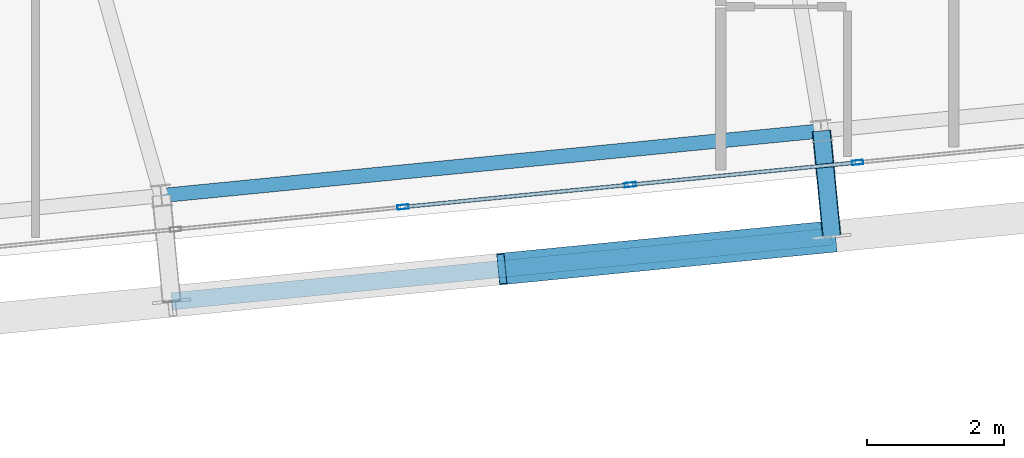
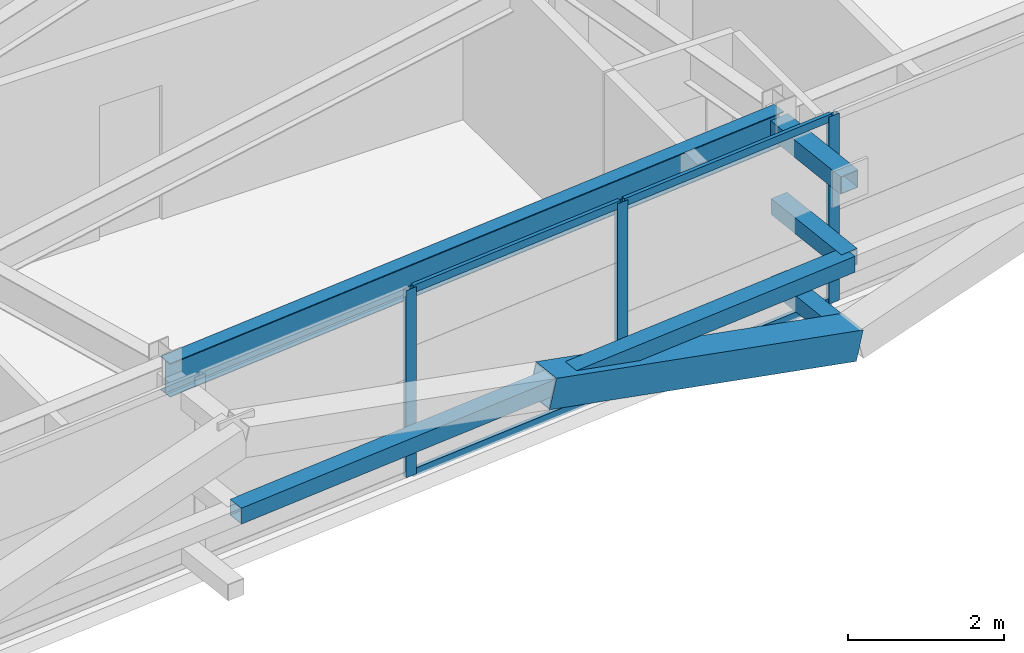
# One storey, part 18 of 52: 12 members, 1 beam, 1 element without a shape of its own.
"""IFC4 building model written with IfcOpenShell, lengths in metres."""

from ifc_helpers import new_model, si_unit, direction, frame, origin, origin_2d, place, context, subcontext, project, spatial, hollow_rectangle, i_section, extrude, source, transform, mapped, material, layer, layer_set, material_profile, profile_set, type_object, element, aggregate, save


model = new_model("IFC4")

# Units and contexts
model_context = context("Model", 3, precision=1e-05, world=origin(), true_north=direction((0.0, 1.0)))
body_context = subcontext(model_context, "Body", "Model", "MODEL_VIEW")
ifc_project = project(units=[si_unit("LENGTHUNIT", "METRE"), si_unit("AREAUNIT", "SQUARE_METRE"), si_unit("VOLUMEUNIT", "CUBIC_METRE"), si_unit("PLANEANGLEUNIT", "RADIAN"), si_unit("MASSUNIT", "GRAM", prefix="KILO")], contexts=[model_context])

# Site, building, storey
site_placement = place(None, origin())
site = spatial("IfcSite", under=ifc_project, at=site_placement, CompositionType="ELEMENT")
building_placement = place(site_placement, origin())
building = spatial("IfcBuilding", under=site, at=building_placement, Name="Taldren Reach Tower", CompositionType="ELEMENT")
storey_placement = place(building_placement, frame((0.0, 0.0, 74.550048828125)))
storey = spatial("IfcBuildingStorey", under=building, at=storey_placement, Name="L22", CompositionType="ELEMENT", Elevation=74.550048828125)

# Members
ifc_material_1 = material(Name="Steel Gr 450 (C450L0)", Category="steel")
ifc_material_profile_1 = material_profile(ifc_material_1, hollow_rectangle(XDim=0.27490234375, YDim=0.27490234375, WallThickness=0.00927734375, at=origin_2d()), Name="275x275x9.3SHS")
ifc_profile_set_1 = profile_set([ifc_material_profile_1], Name="Steel Gr 450 (C450L0)")
member_type_1 = type_object("IfcMemberType", Name="MB-TIE273", PredefinedType="STRUT", material=ifc_profile_set_1)
shared_shape_1 = source(origin(), body_context, "Body", "SweptSolid", [
    extrude(hollow_rectangle(XDim=0.27490234375, YDim=0.27490234375, WallThickness=0.00927734375, at=origin_2d()), origin(), (0.0, 0.0, 1.0), 1.5498046875),
])
member_1_placement = place(storey_placement, frame((53.469482421875, 3.698486328125, 2.64990234375), z_axis=(0.097507178627, -0.995234821595, 0.0), x_axis=(0.995234821595, 0.097507178627, 0.0)))
element("IfcMember", 1, at=member_1_placement, inside=storey, type_object=member_type_1, Name="Exoskeleton diaphragm tie strut B2-S5 L22", PredefinedType="STRUT", context=body_context, shape_type="MappedRepresentation", body=[
    mapped(shared_shape_1, transform((0.0, 0.0, 0.0), scale=1.0)),
])
ifc_material_2 = material(Name="Steel Gr 350 (C350L0)", Category="steel")
ifc_material_profile_2 = material_profile(ifc_material_2, hollow_rectangle(XDim=0.25, YDim=0.25, WallThickness=0.010009765625, at=origin_2d()), Name="250x250x10.0SHS")
ifc_profile_set_2 = profile_set([ifc_material_profile_2], Name="Steel Gr 350 (C350L0)")
member_type_2 = type_object("IfcMemberType", Name="MB-POST250", PredefinedType="POST", material=ifc_profile_set_2)
shared_shape_2 = source(origin(), body_context, "Body", "SweptSolid", [
    extrude(hollow_rectangle(XDim=0.25, YDim=0.25, WallThickness=0.010009765625, at=origin_2d()), origin(), (0.0, 0.0, 1.0), 1.5498046875),
])
for number, where, z_axis, x_axis, name in (
    (2, (53.469482421875, 3.698486328125, 0.219970703125), (0.097507178627, -0.995234821595, 0.0), (0.995234821595, 0.097507178627, 0.0), "Exoskeleton base diaphragm tie strut B2-S5 L22"),
    (3, (53.469482421875, 3.698486328125, 1.43505859375), (0.097507178627, -0.995234821595, 0.0), (0.995234821595, 0.097507178627, 0.0), "Exoskeleton mid-tier diaphragm tie B2-S5 L22"),
):
    element("IfcMember", number, at=place(storey_placement, frame(where, z_axis=z_axis, x_axis=x_axis)), inside=storey, type_object=member_type_2, Name=name, PredefinedType="POST", context=body_context, shape_type="MappedRepresentation", body=[
        mapped(shared_shape_2, transform((0.0, 0.0, 0.0), scale=1.0)),
    ])

# Beam
ifc_material_3 = material(Name="Steel Gr 350 (350PLUS)", Category="steel")
ifc_material_profile_3 = material_profile(ifc_material_3, i_section(OverallWidth=0.208984375, OverallDepth=0.528076171875, WebThickness=0.009521484375, FlangeThickness=0.01318359375, at=origin_2d()), Name="530UB82.0")
ifc_profile_set_3 = profile_set([ifc_material_profile_3], Name="Steel Gr 350 (350PLUS)")
beam_type = type_object("IfcBeamType", Name="SP-UB530B", PredefinedType="SPANDREL", material=ifc_profile_set_3)
shared_shape_3 = source(origin(), body_context, "Body", "SweptSolid", [
    extrude(i_section(OverallWidth=0.208984375, OverallDepth=0.528076171875, WebThickness=0.009521484375, FlangeThickness=0.01318359375, at=origin_2d()), origin(), (0.0, 0.0, 1.0), 9.68017578125),
])
beam_placement = place(storey_placement, frame((43.83544921875, 2.75390625, 2.666015625), z_axis=(0.995227852805, 0.097578281404, 0.0), x_axis=(-0.097578281404, 0.995227852805, 0.0)))
element("IfcBeam", 4, at=beam_placement, inside=storey, type_object=beam_type, Name="Perimeter spandrel B2 S4-S5 L22", PredefinedType="SPANDREL", context=body_context, shape_type="MappedRepresentation", body=[
    mapped(shared_shape_3, transform((0.0, 0.0, 0.0), scale=1.0)),
])

# Members
ifc_material_profile_4 = material_profile(ifc_material_1, hollow_rectangle(XDim=0.4599609375, YDim=0.4599609375, WallThickness=0.01611328125, at=origin_2d()), Name="460x460x16.0SHS")
ifc_profile_set_4 = profile_set([ifc_material_profile_4], Name="Steel Gr 450 (C450L0)")
member_type_3 = type_object("IfcMemberType", Name="MB-EXO457", PredefinedType="BRACE", material=ifc_profile_set_4)
shared_shape_4 = source(origin(), body_context, "Body", "SweptSolid", [
    extrude(hollow_rectangle(XDim=0.4599609375, YDim=0.4599609375, WallThickness=0.01611328125, at=origin_2d()), origin(), (0.0, 0.0, 1.0), 4.990234375),
])
member_2_placement = place(storey_placement, frame((53.62060546875, 2.156005859375, 0.219970703125), z_axis=(-0.965271056716, -0.094667992638, 0.243494883389), x_axis=(0.097605711627, -0.995225162995, 0.0)))
element("IfcMember", 5, at=member_2_placement, inside=storey, type_object=member_type_3, Name="Exoskeleton Diagrid Brace B2-S4 L22", PredefinedType="BRACE", context=body_context, shape_type="MappedRepresentation", body=[
    mapped(shared_shape_4, transform((0.0, 0.0, 0.0), scale=1.0)),
])
shared_shape_5 = source(origin(), body_context, "Body", "SweptSolid", [
    extrude(hollow_rectangle(XDim=0.25, YDim=0.25, WallThickness=0.010009765625, at=origin_2d()), origin(), (0.0, 0.0, 1.0), 9.679931640625),
])
member_3_placement = place(storey_placement, frame((43.98681640625, 1.21142578125, 1.43505859375), z_axis=(0.995227612658, 0.097580730699, 0.0), x_axis=(-0.097580730699, 0.995227612658, 0.0)))
element("IfcMember", 6, at=member_3_placement, inside=storey, type_object=member_type_2, Name="Exoskeleton mid-height ring chord B2-S4 L22", PredefinedType="POST", context=body_context, shape_type="MappedRepresentation", body=[
    mapped(shared_shape_5, transform((0.0, 0.0, 0.0), scale=1.0)),
])

# Curtain wall, members
ifc_material_4 = material(Name="Aluminium and Low-E Glass Unitised System", Category="aluminium")
ifc_layer = layer(ifc_material_4, 0.159912109375)
ifc_layer_set = layer_set([ifc_layer], Name="Aluminium and Low-E Glass Unitised System")
curtain_wall_type = type_object("IfcCurtainWallType", Name="CW-SYS-3", PredefinedType="NOTDEFINED", material=ifc_layer_set)
curtain_wall_placement = place(storey_placement, origin())
curtain_wall = element("IfcCurtainWall", 7, at=curtain_wall_placement, inside=storey, type_object=curtain_wall_type, Name="Unitised curtain wall CW-L22-S", PredefinedType="NOTDEFINED")
ifc_material_5 = material(Name="Anodised Aluminium 6063-T6", Category="aluminium")
ifc_material_profile_5 = material_profile(ifc_material_5, hollow_rectangle(XDim=0.06494140625, YDim=0.1650390625, WallThickness=0.00390625, at=origin_2d()), Name="ALU-165x65x4RHS")
ifc_profile_set_5 = profile_set([ifc_material_profile_5], Name="Anodised Aluminium 6063-T6")
member_type_4 = type_object("IfcMemberType", Name="CW-MUL-165", PredefinedType="MULLION", material=ifc_profile_set_5)
shared_shape_6 = source(origin(), body_context, "Body", "SweptSolid", [
    extrude(hollow_rectangle(XDim=0.06494140625, YDim=0.1650390625, WallThickness=0.00390625, at=origin_2d()), origin(), (0.0, 0.0, 1.0), 2.929931640625),
])
member_4_placement = place(storey_placement, frame((47.362060546875, 2.587158203125, 0.0), z_axis=(0.0, 0.0, 1.0), x_axis=(-0.097582999046, 0.995227390247, 0.0)))
member_4 = element("IfcMember", 8, at=member_4_placement, type_object=member_type_4, Name="CW-3 mullion 11", PredefinedType="MULLION", context=body_context, shape_type="MappedRepresentation", body=[
    mapped(shared_shape_6, transform((0.0, 0.0, 0.0), scale=1.0)),
])
member_5_placement = place(storey_placement, frame((50.679443359375, 2.91259765625, 0.0), z_axis=(0.0, 0.0, 1.0), x_axis=(-0.097582999046, 0.995227390247, 0.0)))
member_5 = element("IfcMember", 9, at=member_5_placement, type_object=member_type_4, Name="CW-3 mullion 12", PredefinedType="MULLION", context=body_context, shape_type="MappedRepresentation", body=[
    mapped(shared_shape_6, transform((0.0, 0.0, 0.0), scale=1.0)),
])
member_6_placement = place(storey_placement, frame((53.996826171875, 3.23779296875, 0.0), z_axis=(0.0, 0.0, 1.0), x_axis=(-0.097582999046, 0.995227390247, 0.0)))
member_6 = element("IfcMember", 10, at=member_6_placement, type_object=member_type_4, Name="CW-3 mullion 13", PredefinedType="MULLION", context=body_context, shape_type="MappedRepresentation", body=[
    mapped(shared_shape_6, transform((0.0, 0.0, 0.0), scale=1.0)),
])
ifc_material_profile_6 = material_profile(ifc_material_5, hollow_rectangle(XDim=0.054931640625, YDim=0.1201171875, WallThickness=0.0029296875, at=origin_2d()), Name="ALU-120x55x3RHS")
ifc_profile_set_6 = profile_set([ifc_material_profile_6], Name="Anodised Aluminium 6063-T6")
member_type_5 = type_object("IfcMemberType", Name="CW-TRN-135", PredefinedType="USERDEFINED", material=ifc_profile_set_6)
shared_shape_7 = source(origin(), body_context, "Body", "SweptSolid", [
    extrude(hollow_rectangle(XDim=0.054931640625, YDim=0.1201171875, WallThickness=0.0029296875, at=origin_2d()), origin(), (0.0, 0.0, 1.0), 3.268310546875),
])
member_7_placement = place(storey_placement, frame((47.394287109375, 2.59033203125, 0.02734375), z_axis=(0.995222549564, 0.097632355496, 0.0), x_axis=(-0.097632355496, 0.995222549564, 0.0)))
member_7 = element("IfcMember", 11, at=member_7_placement, type_object=member_type_5, Name="CW-3 transom 11.1", ObjectType="TRANSOM", PredefinedType="USERDEFINED", context=body_context, shape_type="MappedRepresentation", body=[
    mapped(shared_shape_7, transform((0.0, 0.0, 0.0), scale=1.0)),
])
member_8_placement = place(storey_placement, frame((47.394287109375, 2.59033203125, 2.90234375), z_axis=(0.995222549564, 0.097632355496, 0.0), x_axis=(-0.097632355496, 0.995222549564, 0.0)))
member_8 = element("IfcMember", 12, at=member_8_placement, type_object=member_type_5, Name="CW-3 transom 11.2", ObjectType="TRANSOM", PredefinedType="USERDEFINED", context=body_context, shape_type="MappedRepresentation", body=[
    mapped(shared_shape_7, transform((0.0, 0.0, 0.0), scale=1.0)),
])
shared_shape_8 = source(origin(), body_context, "Body", "SweptSolid", [
    extrude(hollow_rectangle(XDim=0.054931640625, YDim=0.1201171875, WallThickness=0.0029296875, at=origin_2d()), origin(), (0.0, 0.0, 1.0), 3.2685546875),
])
member_9_placement = place(storey_placement, frame((50.711669921875, 2.915771484375, 0.02734375), z_axis=(0.99523051601, 0.097551114824, 0.0), x_axis=(-0.097551114824, 0.99523051601, 0.0)))
member_9 = element("IfcMember", 13, at=member_9_placement, type_object=member_type_5, Name="CW-3 transom 12.1", ObjectType="TRANSOM", PredefinedType="USERDEFINED", context=body_context, shape_type="MappedRepresentation", body=[
    mapped(shared_shape_8, transform((0.0, 0.0, 0.0), scale=1.0)),
])
member_10_placement = place(storey_placement, frame((50.711669921875, 2.915771484375, 2.90234375), z_axis=(0.99523051601, 0.097551114824, 0.0), x_axis=(-0.097551114824, 0.99523051601, 0.0)))
member_10 = element("IfcMember", 14, at=member_10_placement, type_object=member_type_5, Name="CW-3 transom 12.2", ObjectType="TRANSOM", PredefinedType="USERDEFINED", context=body_context, shape_type="MappedRepresentation", body=[
    mapped(shared_shape_8, transform((0.0, 0.0, 0.0), scale=1.0)),
])
aggregate(curtain_wall, [member_4, member_5, member_6, member_7, member_8, member_9, member_10])

save(model, "model.ifc")
